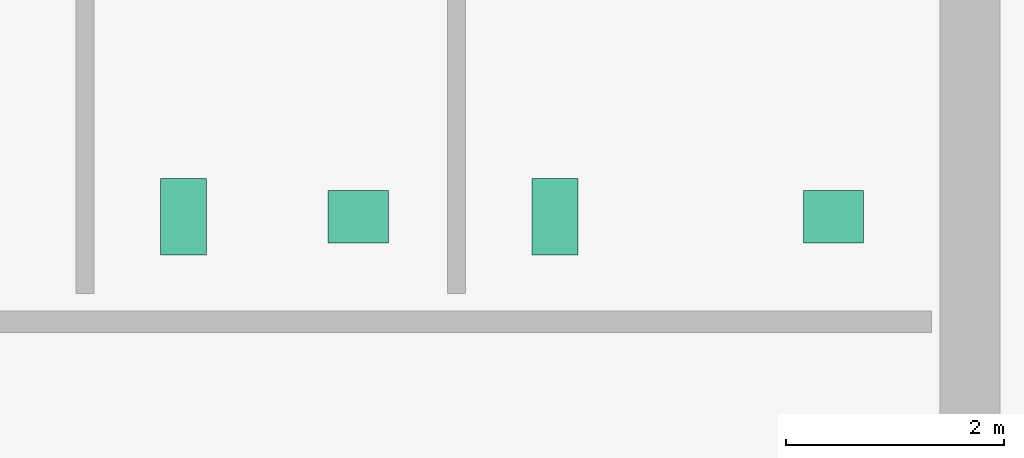
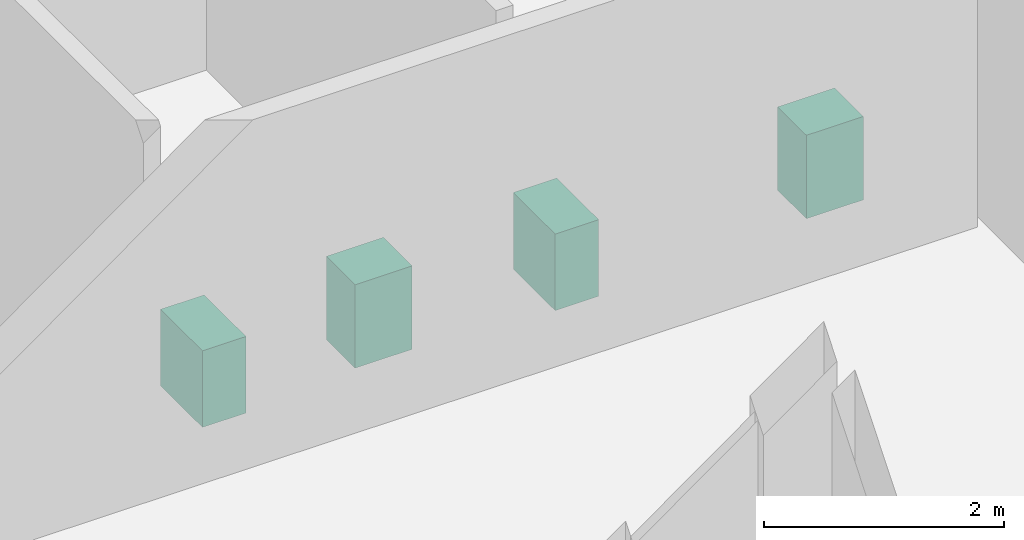
# One storey, part 12 of 12: 4 sanitary terminals.
"""IFC4 building model written with IfcOpenShell, lengths in metres."""

from ifc_helpers import new_model, si_unit, direction, frame, origin, origin_2d, place, context, subcontext, project, spatial, rectangle, extrude, material, type_object, element, save


model = new_model("IFC4")

# Units and contexts
model_context = context("Model", 3, precision=1e-05, world=origin(), true_north=direction((0.0, 1.0)))
body_context = subcontext(model_context, "Body", "Model", "MODEL_VIEW")
ifc_project = project(units=[si_unit("LENGTHUNIT", "METRE"), si_unit("AREAUNIT", "SQUARE_METRE"), si_unit("VOLUMEUNIT", "CUBIC_METRE"), si_unit("PLANEANGLEUNIT", "RADIAN"), si_unit("MASSUNIT", "GRAM", prefix="KILO")], contexts=[model_context])

# Site, building, storey
site_placement = place(None, origin())
site = spatial("IfcSite", under=ifc_project, at=site_placement, CompositionType="ELEMENT")
building_placement = place(site_placement, origin())
building = spatial("IfcBuilding", under=site, at=building_placement, Name="Norrvale University Quadrangle", CompositionType="ELEMENT")
storey_placement = place(building_placement, frame((0.0, 0.0, 225.60009765625)))
storey = spatial("IfcBuildingStorey", under=building, at=storey_placement, Name="L57", CompositionType="ELEMENT", Elevation=225.60009765625)

# Sanitary terminals
ifc_material = material(Name="Vitreous China Sanitaryware")
sanitary_terminal_type_1 = type_object("IfcSanitaryTerminalType", Name="Sanitary Wash Basin", PredefinedType="WASHHANDBASIN", material=ifc_material)
for number, where, z_axis, x_axis, name in (
    (1, (11.199951171875, 41.10009765625, -0.000244140625), (0.0, 0.0, 1.0), (1.0, 0.0, 0.0), "Accessible Countertop Washbasin L57-1"),
    (2, (15.550048828125, 41.10009765625, -0.000244140625), (0.0, 0.0, 1.0), (1.0, 0.0, 0.0), "Accessible Countertop Washbasin L57-2"),
):
    element("IfcSanitaryTerminal", number, at=place(storey_placement, frame(where, z_axis=z_axis, x_axis=x_axis)), inside=storey, type_object=sanitary_terminal_type_1, Name=name, PredefinedType="WASHHANDBASIN", context=body_context, shape_type="SweptSolid", body=[
        extrude(rectangle(XDim=0.550048828125, YDim=0.47998046875, at=origin_2d()), origin(), (0.0, 0.0, 1.0), 0.85009765625),
    ])
sanitary_terminal_type_2 = type_object("IfcSanitaryTerminalType", Name="Sanitary Water Closet", PredefinedType="TOILETPAN", material=ifc_material)
for number, where, z_axis, x_axis, name in (
    (3, (9.60009765625, 41.10009765625, 0.0), (0.0, 0.0, 1.0), (1.0, 0.0, 0.0), "Wall-Hung Water Closet L57-1"),
    (4, (13.0, 41.10009765625, 0.0), (0.0, 0.0, 1.0), (1.0, 0.0, 0.0), "Wall-Hung Water Closet L57-2"),
):
    element("IfcSanitaryTerminal", number, at=place(storey_placement, frame(where, z_axis=z_axis, x_axis=x_axis)), inside=storey, type_object=sanitary_terminal_type_2, Name=name, PredefinedType="TOILETPAN", context=body_context, shape_type="SweptSolid", body=[
        extrude(rectangle(XDim=0.419921875, YDim=0.699951171875, at=origin_2d()), origin(), (0.0, 0.0, 1.0), 0.780029296875),
    ])

save(model, "model.ifc")
